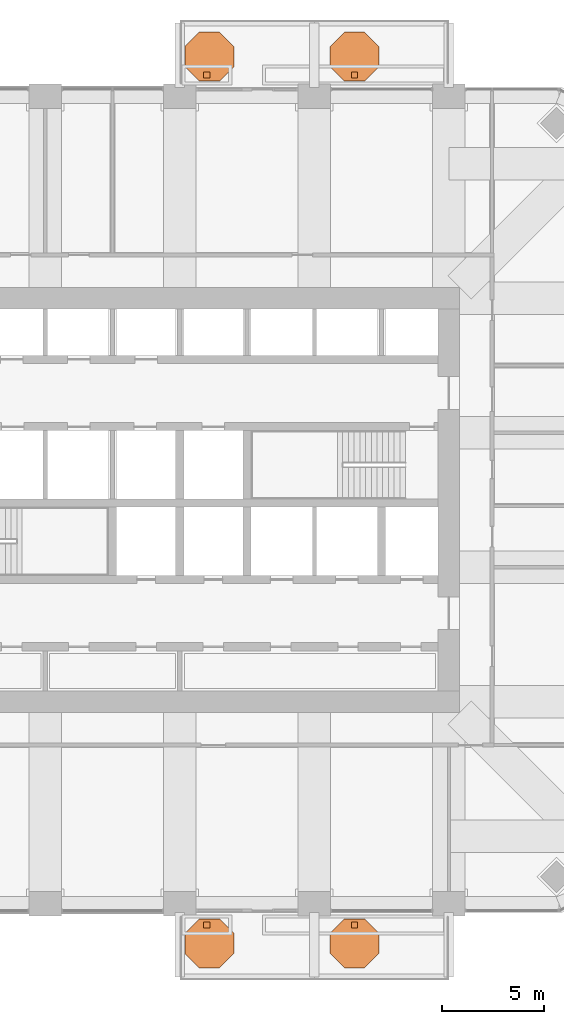
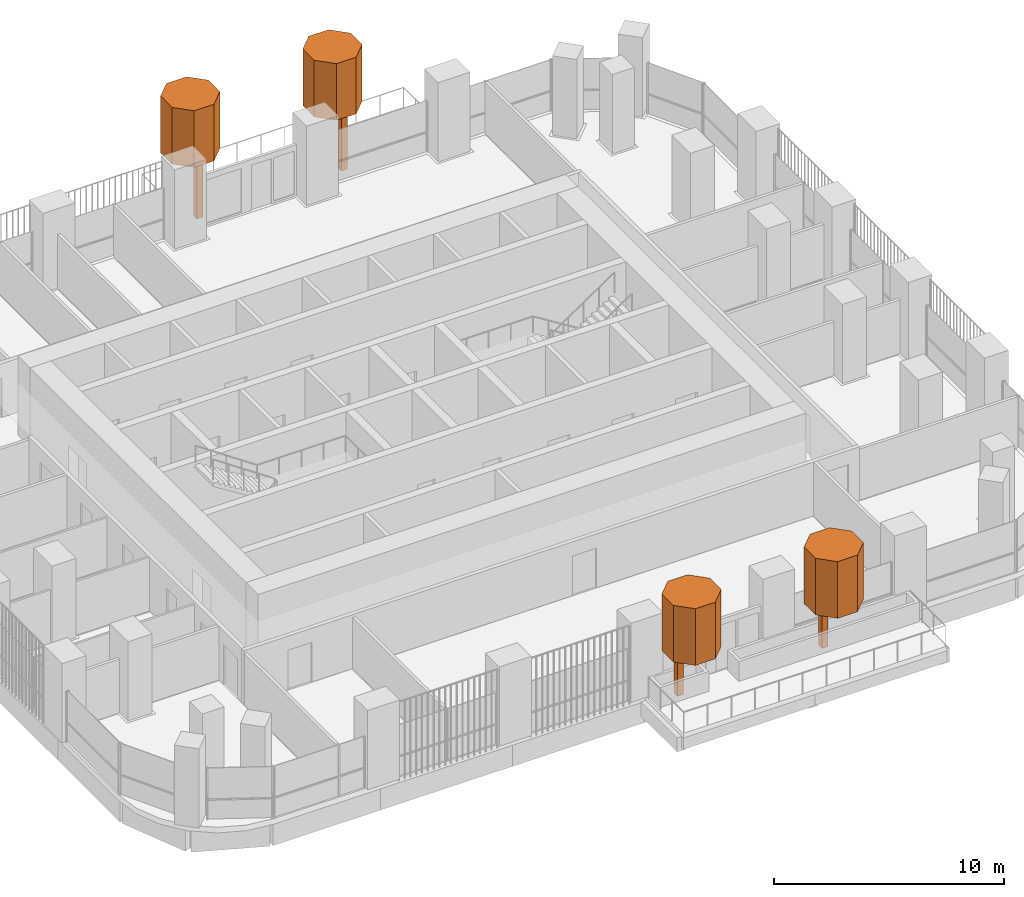
# One storey, part 19 of 19: 8 geographic elements.
"""IFC4 building model written with IfcOpenShell, lengths in metres."""

from ifc_helpers import new_model, si_unit, direction, frame, origin, origin_2d, place, context, subcontext, project, spatial, polyline, rectangle, outline, extrude, material, type_object, element, save


model = new_model("IFC4")

# Units and contexts
model_context = context("Model", 3, precision=1e-05, world=origin(), true_north=direction((0.0, 1.0)))
body_context = subcontext(model_context, "Body", "Model", "MODEL_VIEW")
ifc_project = project(units=[si_unit("LENGTHUNIT", "METRE"), si_unit("AREAUNIT", "SQUARE_METRE"), si_unit("VOLUMEUNIT", "CUBIC_METRE"), si_unit("PLANEANGLEUNIT", "RADIAN"), si_unit("MASSUNIT", "GRAM", prefix="KILO")], contexts=[model_context])

# Site, building, storey
site_placement = place(None, origin())
site = spatial("IfcSite", under=ifc_project, at=site_placement, CompositionType="ELEMENT")
building_placement = place(site_placement, origin())
building = spatial("IfcBuilding", under=site, at=building_placement, Name="Cobogo Forest Laboratory Tower", CompositionType="ELEMENT")
storey_placement = place(building_placement, frame((0.0, 0.0, 206.10009765625)))
storey = spatial("IfcBuildingStorey", under=building, at=storey_placement, Name="L47", CompositionType="ELEMENT", Elevation=206.10009765625)

# Geographic elements
ifc_material = material(Name="Planting", Category="plant")
geographic_element_type_1 = type_object("IfcGeographicElementType", Name="Tree trunk 300", PredefinedType="USERDEFINED", material=ifc_material)
for number, where, z_axis, x_axis, name in (
    (1, (27.72509765625, 2.25, 0.0), (0.0, 0.0, 1.0), (1.0, 0.0, 0.0), "Tree trunk BAL-S1-PL1 L47"),
    (2, (34.97509765625, 2.25, 0.0), (0.0, 0.0, 1.0), (1.0, 0.0, 0.0), "Tree trunk BAL-S1-PL2 L47"),
    (3, (27.72509765625, 43.949951171875, 0.0), (0.0, 0.0, 1.0), (1.0, 0.0, 0.0), "Tree trunk BAL-N1-PL1 L47"),
    (4, (34.97509765625, 43.949951171875, 0.0), (0.0, 0.0, 1.0), (1.0, 0.0, 0.0), "Tree trunk BAL-N1-PL2 L47"),
):
    element("IfcGeographicElement", number, at=place(storey_placement, frame(where, z_axis=z_axis, x_axis=x_axis)), inside=storey, type_object=geographic_element_type_1, Name=name, ObjectType="TREE TRUNK", PredefinedType="USERDEFINED", context=body_context, shape_type="SweptSolid", body=[
        extrude(rectangle(XDim=0.300048828125, YDim=0.300048828125, at=origin_2d()), origin(), (0.0, 0.0, 1.0), 2.89990234375),
    ])
geographic_element_type_2 = type_object("IfcGeographicElementType", Name="Tree, holm oak 5 m", PredefinedType="USERDEFINED", material=ifc_material)
geographic_element_1_placement = place(storey_placement, frame((0.0, 0.0, 2.89990234375)))
element("IfcGeographicElement", 5, at=geographic_element_1_placement, inside=storey, type_object=geographic_element_type_2, Name="Holm tree BAL-S1-PL1 L47", ObjectType="TREE", PredefinedType="USERDEFINED", context=body_context, shape_type="SweptSolid", body=[
    extrude(outline(polyline([(29.050048828125, 0.85302734375), (29.050048828125, 1.84716796875), (28.34716796875, 2.550048828125), (27.35302734375, 2.550048828125), (26.64990234375, 1.84716796875), (26.64990234375, 0.85302734375), (27.35302734375, 0.14990234375), (28.34716796875, 0.14990234375), (29.050048828125, 0.85302734375)])), origin(), (0.0, 0.0, 1.0), 3.0),
])
geographic_element_2_placement = place(storey_placement, frame((0.0, 0.0, 2.89990234375)))
element("IfcGeographicElement", 6, at=geographic_element_2_placement, inside=storey, type_object=geographic_element_type_2, Name="Holm tree BAL-S1-PL2 L47", ObjectType="TREE", PredefinedType="USERDEFINED", context=body_context, shape_type="SweptSolid", body=[
    extrude(outline(polyline([(36.175048828125, 0.85302734375), (36.175048828125, 1.84716796875), (35.47216796875, 2.550048828125), (34.47802734375, 2.550048828125), (33.77490234375, 1.84716796875), (33.77490234375, 0.85302734375), (34.47802734375, 0.14990234375), (35.47216796875, 0.14990234375), (36.175048828125, 0.85302734375)])), origin(), (0.0, 0.0, 1.0), 3.0),
])
geographic_element_3_placement = place(storey_placement, frame((0.0, 0.0, 2.89990234375)))
element("IfcGeographicElement", 7, at=geographic_element_3_placement, inside=storey, type_object=geographic_element_type_2, Name="Holm tree BAL-N1-PL1 L47", ObjectType="TREE", PredefinedType="USERDEFINED", context=body_context, shape_type="SweptSolid", body=[
    extrude(outline(polyline([(29.050048828125, 44.35302734375), (29.050048828125, 45.34716796875), (28.34716796875, 46.050048828125), (27.35302734375, 46.050048828125), (26.64990234375, 45.34716796875), (26.64990234375, 44.35302734375), (27.35302734375, 43.64990234375), (28.34716796875, 43.64990234375), (29.050048828125, 44.35302734375)])), origin(), (0.0, 0.0, 1.0), 3.0),
])
geographic_element_4_placement = place(storey_placement, frame((0.0, 0.0, 2.89990234375)))
element("IfcGeographicElement", 8, at=geographic_element_4_placement, inside=storey, type_object=geographic_element_type_2, Name="Holm tree BAL-N1-PL2 L47", ObjectType="TREE", PredefinedType="USERDEFINED", context=body_context, shape_type="SweptSolid", body=[
    extrude(outline(polyline([(36.175048828125, 44.35302734375), (36.175048828125, 45.34716796875), (35.47216796875, 46.050048828125), (34.47802734375, 46.050048828125), (33.77490234375, 45.34716796875), (33.77490234375, 44.35302734375), (34.47802734375, 43.64990234375), (35.47216796875, 43.64990234375), (36.175048828125, 44.35302734375)])), origin(), (0.0, 0.0, 1.0), 3.0),
])

save(model, "model.ifc")
